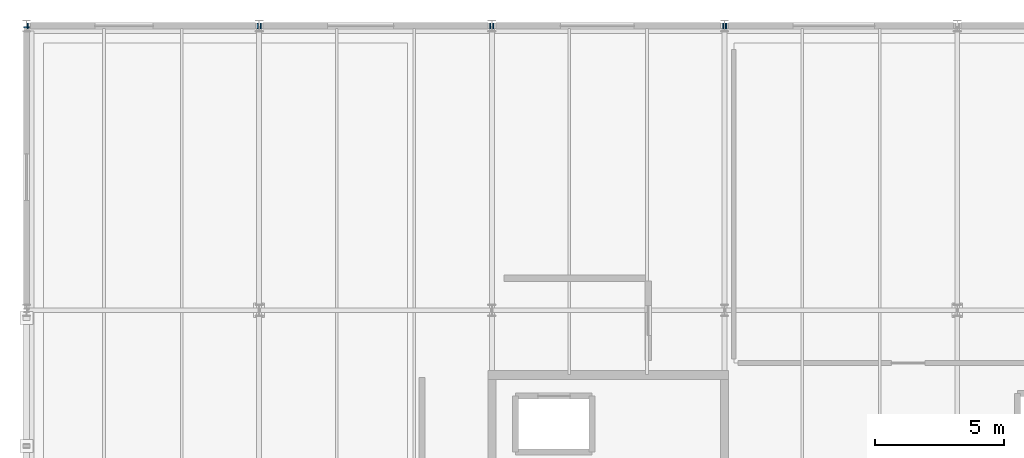
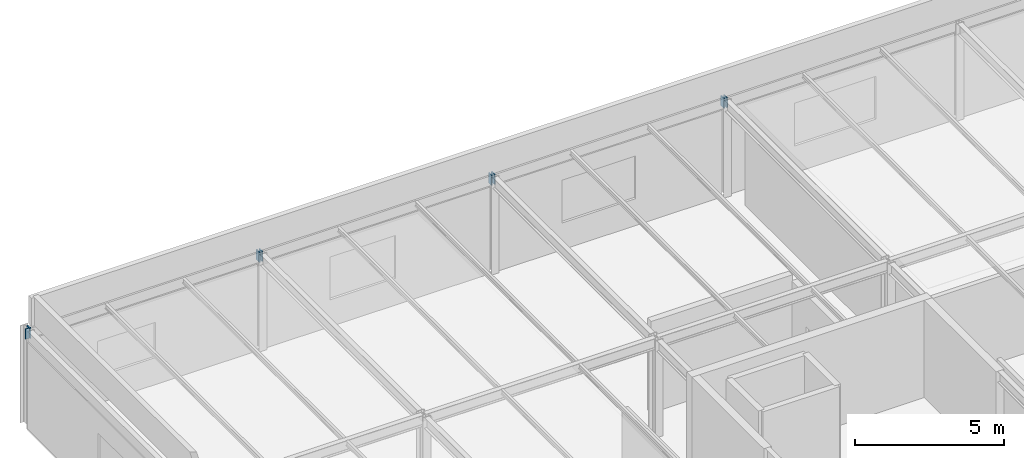
# One storey, part 12 of 14: 8 discrete accessories.
"""IFC4 building model written with IfcOpenShell, lengths in metres."""

from ifc_helpers import new_model, si_unit, direction, frame, origin, origin_2d, place, context, subcontext, project, spatial, rectangle, extrude, material, element, save


model = new_model("IFC4")

# Units and contexts
model_context = context("Model", 3, precision=1e-05, world=origin(), true_north=direction((0.0, 1.0)))
body_context = subcontext(model_context, "Body", "Model", "MODEL_VIEW")
ifc_project = project(units=[si_unit("LENGTHUNIT", "METRE"), si_unit("AREAUNIT", "SQUARE_METRE"), si_unit("VOLUMEUNIT", "CUBIC_METRE"), si_unit("PLANEANGLEUNIT", "RADIAN"), si_unit("MASSUNIT", "GRAM", prefix="KILO")], contexts=[model_context])

# Site, building, storey
site_placement = place(None, origin())
site = spatial("IfcSite", under=ifc_project, at=site_placement, CompositionType="ELEMENT")
building_placement = place(site_placement, origin())
building = spatial("IfcBuilding", under=site, at=building_placement, Name="Marlcrest Central Station", CompositionType="ELEMENT")
storey_placement = place(building_placement, frame((0.0, 0.0, 24.0)))
storey = spatial("IfcBuildingStorey", under=building, at=storey_placement, Name="L05", CompositionType="ELEMENT", Elevation=24.0)

# Discrete accessories
ifc_material = material(Name="Steel S355", Category="steel")
for number, where, z_axis, x_axis, name in (
    (1, (0.03515625, 132.0, 3.780029296875), (1.0, 0.0, 0.0), (0.0, 1.0, 0.0), "endcap-bm-SP-01-L05-00687-s"),
    (2, (8.925048828125, 132.0, 3.780029296875), (1.0, 0.0, 0.0), (0.0, 1.0, 0.0), "endcap-bm-SP-01-L05-00687-e"),
    (3, (9.03515625, 132.0, 3.780029296875), (1.0, 0.0, 0.0), (0.0, 1.0, 0.0), "endcap-bm-SP-01-L05-00688-s"),
    (4, (17.925048828125, 132.0, 3.780029296875), (1.0, 0.0, 0.0), (0.0, 1.0, 0.0), "endcap-bm-SP-01-L05-00688-e"),
    (5, (18.03515625, 132.0, 3.780029296875), (1.0, 0.0, 0.0), (0.0, 1.0, 0.0), "endcap-bm-SP-01-L05-00689-s"),
    (6, (26.925048828125, 132.0, 3.780029296875), (1.0, 0.0, 0.0), (0.0, 1.0, 0.0), "endcap-bm-SP-01-L05-00689-e"),
    (7, (27.03515625, 132.0, 3.780029296875), (1.0, 0.0, 0.0), (0.0, 1.0, 0.0), "endcap-bm-SP-01-L05-00690-s"),
    (8, (0.0, 131.925048828125, 3.780029296875), (0.0, 1.0, 0.0), (-1.0, 0.0, 0.0), "endcap-bm-SP-01-L05-00695-e"),
):
    element("IfcDiscreteAccessory", number, at=place(storey_placement, frame(where, z_axis=z_axis, x_axis=x_axis)), inside=storey, material=ifc_material, Name=name, ObjectType="END_CAP_PLATE", PredefinedType="BRACKET", context=body_context, shape_type="SweptSolid", body=[
        extrude(rectangle(XDim=0.216064453125, YDim=0.416015625, at=origin_2d()), origin(), (0.0, 0.0, 1.0), 0.0400390625),
    ])

save(model, "model.ifc")
